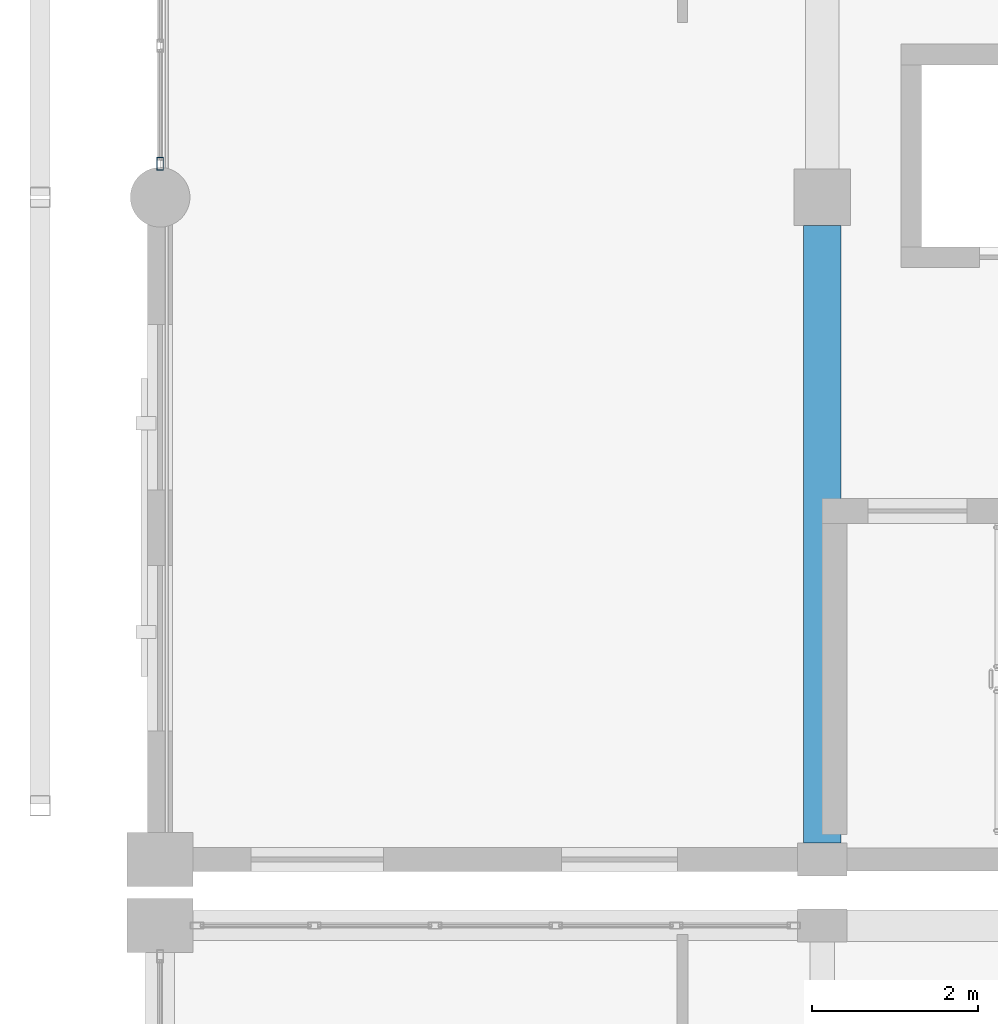
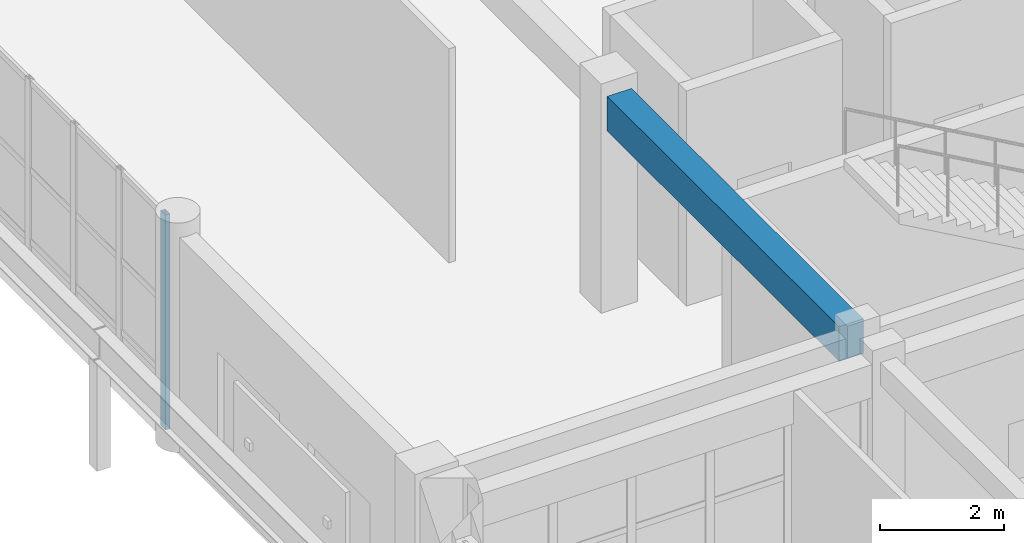
# One storey, part 52 of 160: 1 beam, 1 member, 1 element without a shape of its own.
"""IFC4 building model written with IfcOpenShell, lengths in metres."""

from ifc_helpers import new_model, si_unit, direction, frame, origin, origin_2d, place, context, subcontext, project, spatial, rectangle, hollow_rectangle, extrude, material, material_profile, profile_set, type_object, element, aggregate, save


model = new_model("IFC4")

# Units and contexts
model_context = context("Model", 3, precision=1e-05, world=origin(), true_north=direction((0.0, 1.0)))
body_context = subcontext(model_context, "Body", "Model", "MODEL_VIEW")
ifc_project = project(units=[si_unit("LENGTHUNIT", "METRE"), si_unit("AREAUNIT", "SQUARE_METRE"), si_unit("VOLUMEUNIT", "CUBIC_METRE"), si_unit("PLANEANGLEUNIT", "RADIAN"), si_unit("MASSUNIT", "GRAM", prefix="KILO")], contexts=[model_context])

# Site, building, storey
site_placement = place(None, origin())
site = spatial("IfcSite", under=ifc_project, at=site_placement, CompositionType="ELEMENT")
building_placement = place(site_placement, origin())
building = spatial("IfcBuilding", under=site, at=building_placement, Name="Kharva Crest Polytechnic", CompositionType="ELEMENT")
storey_placement = place(building_placement, frame((0.0, 0.0, 4.5)))
storey = spatial("IfcBuildingStorey", under=building, at=storey_placement, Name="L01", CompositionType="ELEMENT", Elevation=4.5)

# Beam
ifc_material_1 = material(Name="Concrete C35/45", Category="concrete")
ifc_material_profile_1 = material_profile(ifc_material_1, rectangle(XDim=0.449951171875, YDim=0.679931640625, at=origin_2d()), Name="RECT 450 X 680")
ifc_profile_set_1 = profile_set([ifc_material_profile_1], Name="Concrete C35/45")
beam_type = type_object("IfcBeamType", Name="BM-RC-450X680", PredefinedType="BEAM", material=ifc_profile_set_1)
beam_placement = place(storey_placement, frame((40.0, 39.0, 3.8798828125), z_axis=(0.0, 1.0, 0.0), x_axis=(-1.0, 0.0, 0.0)))
element("IfcBeam", 1, at=beam_placement, inside=storey, type_object=beam_type, Name="L01 Girder 6/FJ-G", PredefinedType="BEAM", context=body_context, shape_type="SweptSolid", body=[
    extrude(rectangle(XDim=0.449951171875, YDim=0.679931640625, at=origin_2d()), origin(), (0.0, 0.0, 1.0), 7.4599609375),
])

# Curtain wall, member
ifc_material_2 = material(Name="Tempered insulated glass", Category="glass")
curtain_wall_type = type_object("IfcCurtainWallType", Name="CW-SYS-COURT", PredefinedType="USERDEFINED", material=ifc_material_2)
curtain_wall_placement = place(storey_placement, origin())
curtain_wall = element("IfcCurtainWall", 2, at=curtain_wall_placement, inside=storey, type_object=curtain_wall_type, Name="L01 Glazed Curtain Wall CW-055", ObjectType="CURTAIN WALL", PredefinedType="USERDEFINED")
ifc_material_3 = material(Name="Steel S355", Category="steel")
ifc_material_profile_2 = material_profile(ifc_material_3, hollow_rectangle(XDim=0.080078125, YDim=0.159912109375, WallThickness=0.0048828125, at=origin_2d()), Name="RHS 160X80X5.0")
ifc_profile_set_2 = profile_set([ifc_material_profile_2], Name="Steel S355")
member_type = type_object("IfcMemberType", Name="CWM-RHS160X80", PredefinedType="MULLION", material=ifc_profile_set_2)
member_placement = place(storey_placement, frame((32.0, 47.205078125, 0.0), z_axis=(0.0, 0.0, 1.0), x_axis=(1.0, 0.0, 0.0)))
member = element("IfcMember", 3, at=member_placement, type_object=member_type, Name="CW-055 mullion 6", PredefinedType="MULLION", context=body_context, shape_type="SweptSolid", body=[
    extrude(hollow_rectangle(XDim=0.080078125, YDim=0.159912109375, WallThickness=0.0048828125, at=origin_2d()), origin(), (0.0, 0.0, 1.0), 4.219970703125),
])
aggregate(curtain_wall, [member])

save(model, "model.ifc")
